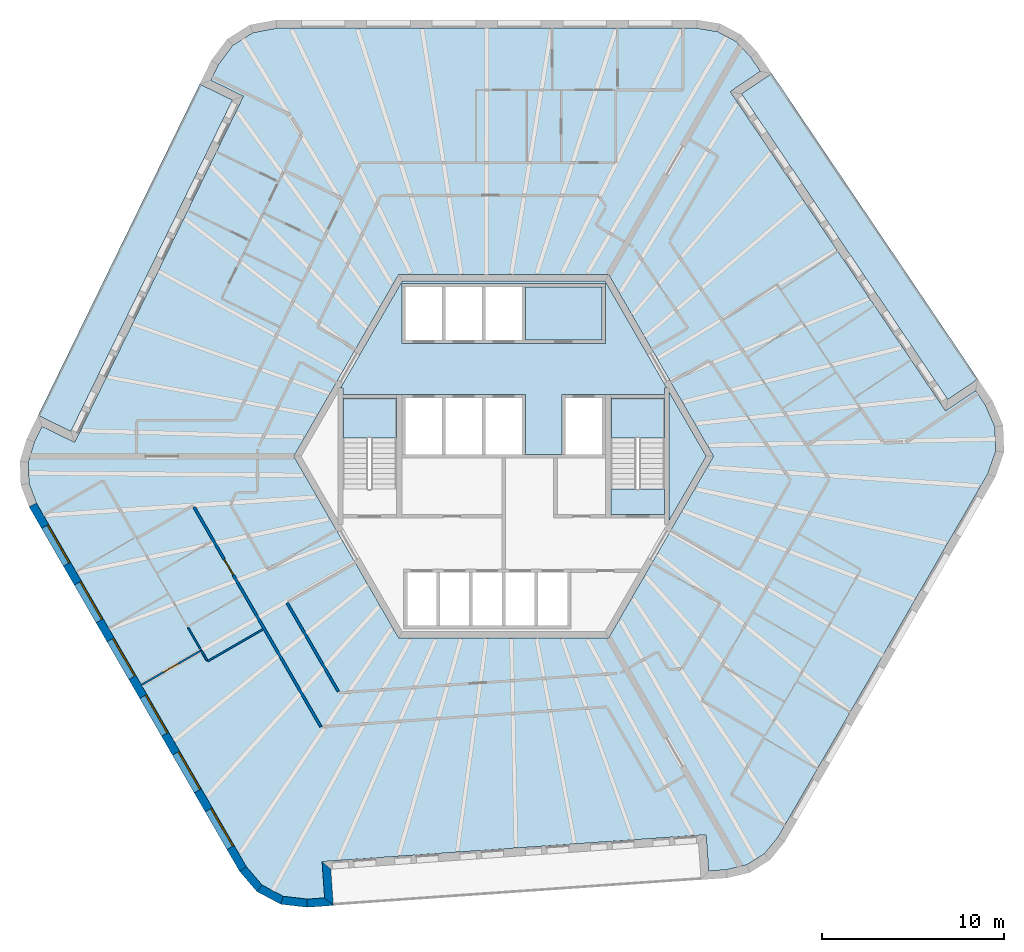
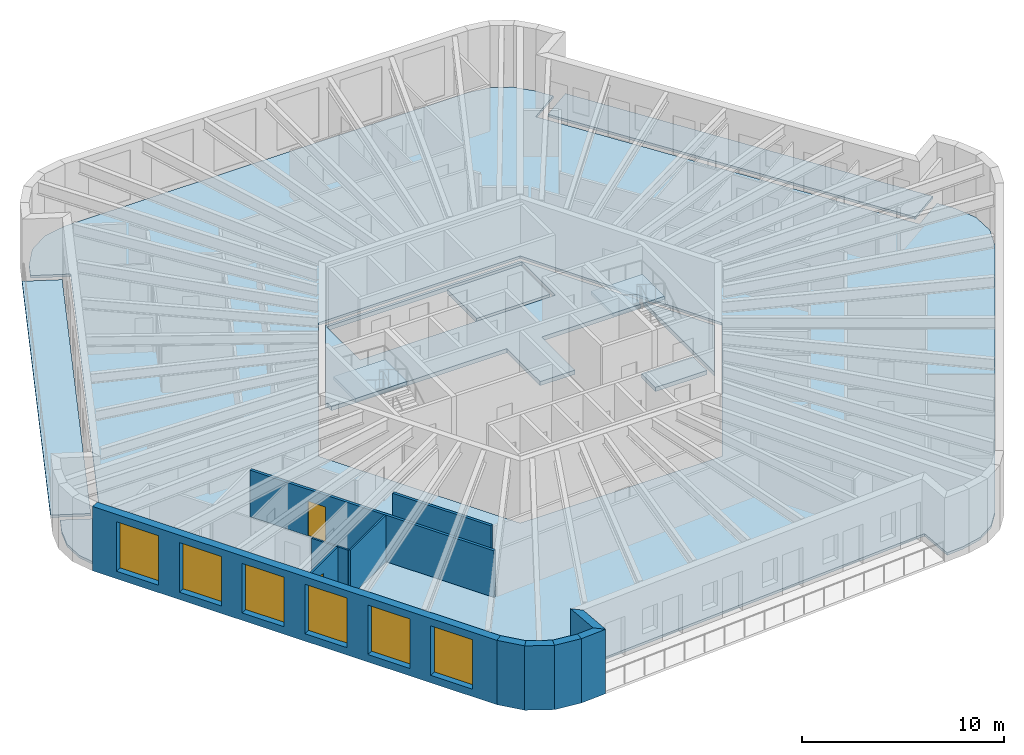
# One storey, part 2 of 11: 12 walls, 9 slabs, 6 windows, 2 doors, 8 openings, 2 elements without a shape of their own.
"""IFC4 building model written with IfcOpenShell, lengths in metres."""

from ifc_helpers import new_model, si_unit, direction, frame, frame_2d, origin, place, context, subcontext, project, spatial, polyline, rectangle, outline, extrude, material, layer, layer_set, type_object, element, fill, aggregate, save


model = new_model("IFC4")

# Units and contexts
model_context = context("Model", 3, precision=1e-05, world=origin(), true_north=direction((0.0, 1.0)))
body_context = subcontext(model_context, "Body", "Model", "MODEL_VIEW")
ifc_project = project(units=[si_unit("LENGTHUNIT", "METRE"), si_unit("AREAUNIT", "SQUARE_METRE"), si_unit("VOLUMEUNIT", "CUBIC_METRE"), si_unit("PLANEANGLEUNIT", "RADIAN"), si_unit("MASSUNIT", "GRAM", prefix="KILO")], contexts=[model_context])

# Site, building, storey
site_placement = place(None, origin())
site = spatial("IfcSite", under=ifc_project, at=site_placement, CompositionType="ELEMENT")
building_placement = place(site_placement, origin())
building = spatial("IfcBuilding", under=site, at=building_placement, Name="Tarnside Tower", CompositionType="ELEMENT")
storey_placement = place(building_placement, frame((0.0, 0.0, 353.39990234375)))
storey = spatial("IfcBuildingStorey", under=building, at=storey_placement, Name="L85", CompositionType="ELEMENT", Elevation=353.39990234375)

# Slabs
ifc_material_1 = material(Name="Concrete C35/45", Category="concrete")
ifc_layer_1 = layer(ifc_material_1, 0.14990234375)
ifc_layer_set_1 = layer_set([ifc_layer_1], Name="Composite floor slab 150")
slab_type_1 = type_object("IfcSlabType", Name="Composite floor slab 150", PredefinedType="FLOOR", material=ifc_layer_set_1)
slab_1_placement = place(storey_placement, frame((0.0, 0.0, -0.14990234375)))
element("IfcSlab", 1, at=slab_1_placement, inside=storey, type_object=slab_type_1, Name="Floor slab L85", PredefinedType="FLOOR", context=body_context, shape_type="SweptSolid", body=[
    extrude(outline(polyline([(11.769287109375, 23.3603515625), (12.785400390625, 22.8203125), (13.58740234375, 21.969970703125), (14.12255859375, 21.1767578125), (12.46435546875, 20.058349609375), (24.30908203125, 2.498046875), (25.967041015625, 3.616455078125), (26.50048828125, 2.82568359375), (27.02880859375, 1.6005859375), (27.07470703125, 0.288818359375), (26.633056640625, -0.97021484375), (15.0869140625, -20.968505859375), (14.345947265625, -21.872802734375), (13.370361328125, -22.482421875), (12.232666015625, -22.752197265625), (11.2783203125, -22.81884765625), (11.138916015625, -20.82373046875), (-9.9912109375, -22.30126953125), (-9.8515625, -24.29638671875), (-10.80322265625, -24.36279296875), (-12.12841796875, -24.2080078125), (-13.287353515625, -23.591796875), (-14.15673828125, -22.579833984375), (-25.702880859375, -2.581298828125), (-26.115478515625, -1.487548828125), (-26.155517578125, -0.337890625), (-25.8203125, 0.7822265625), (-25.40087890625, 1.64208984375), (-23.603271484375, 0.765380859375), (-14.31787109375, 19.80322265625), (-16.115478515625, 20.679931640625), (-15.697265625, 21.537353515625), (-14.900634765625, 22.607421875), (-13.787353515625, 23.302978515625), (-12.476318359375, 23.550048828125), (10.61572265625, 23.550048828125), (11.769287109375, 23.3603515625)]), holes=[polyline([(-11.547119140625, 0.0), (-5.7734375, -10.0), (5.7734375, -10.0), (11.547119140625, 0.0), (5.7734375, 10.0), (-5.7734375, 10.0), (-11.547119140625, 0.0)])]), origin(), (0.0, 0.0, 1.0), 0.14990234375),
])
ifc_material_2 = material(Name="Concrete C40/50", Category="concrete")
ifc_layer_2 = layer(ifc_material_2, 0.25)
ifc_layer_set_2 = layer_set([ifc_layer_2], Name="Core slab C40/50")
slab_type_2 = type_object("IfcSlabType", Name="Core slab C40/50", PredefinedType="FLOOR", material=ifc_layer_set_2)
slab_2_placement = place(storey_placement, frame((0.0, 0.0, -0.25)))
element("IfcSlab", 2, at=slab_2_placement, inside=storey, type_object=slab_type_2, Name="L85 core floor slab 1", PredefinedType="FLOOR", context=body_context, shape_type="SweptSolid", body=[
    extrude(outline(polyline([(5.5712890625, 9.64990234375), (8.97509765625, 3.7548828125), (8.85009765625, 3.7548828125), (8.85009765625, 3.39990234375), (5.89990234375, 3.39990234375), (5.60009765625, 3.39990234375), (3.39990234375, 3.39990234375), (3.199951171875, 3.39990234375), (3.199951171875, 0.10009765625), (1.199951171875, 0.10009765625), (1.199951171875, 3.39990234375), (1.0, 3.39990234375), (-5.60009765625, 3.39990234375), (-5.89990234375, 3.39990234375), (-8.85009765625, 3.39990234375), (-8.85009765625, 3.7548828125), (-8.97509765625, 3.7548828125), (-5.5712890625, 9.64990234375), (5.5712890625, 9.64990234375)]), holes=[polyline([(-5.60009765625, 6.199951171875), (5.60009765625, 6.199951171875), (5.60009765625, 6.39990234375), (5.60009765625, 9.300048828125), (5.60009765625, 9.5), (-5.60009765625, 9.5), (-5.60009765625, 9.300048828125), (-5.60009765625, 6.39990234375), (-5.60009765625, 6.199951171875)])]), origin(), (0.0, 0.0, 1.0), 0.25),
])
slab_3_placement = place(storey_placement, frame((0.0, 0.0, -0.25)))
element("IfcSlab", 3, at=slab_3_placement, inside=storey, type_object=slab_type_2, Name="L85 core floor slab 4", PredefinedType="FLOOR", context=body_context, shape_type="SweptSolid", body=[
    extrude(outline(polyline([(9.10009765625, 3.538330078125), (11.142822265625, 0.0), (9.10009765625, -3.538330078125), (9.10009765625, 3.538330078125)])), origin(), (0.0, 0.0, 1.0), 0.25),
])
slab_4_placement = place(storey_placement, frame((0.0, 0.0, -0.25)))
element("IfcSlab", 4, at=slab_4_placement, inside=storey, type_object=slab_type_2, Name="L85 core floor slab 6", PredefinedType="FLOOR", context=body_context, shape_type="SweptSolid", body=[
    extrude(outline(polyline([(5.89990234375, -1.800048828125), (8.85009765625, -1.800048828125), (8.85009765625, -3.199951171875), (5.89990234375, -3.199951171875), (5.89990234375, -1.800048828125)])), origin(), (0.0, 0.0, 1.0), 0.25),
])
slab_5_placement = place(storey_placement, frame((0.0, 0.0, -0.25)))
element("IfcSlab", 5, at=slab_5_placement, inside=storey, type_object=slab_type_2, Name="L85 core floor slab 7", PredefinedType="FLOOR", context=body_context, shape_type="SweptSolid", body=[
    extrude(outline(polyline([(5.39990234375, 6.39990234375), (1.199951171875, 6.39990234375), (1.199951171875, 9.300048828125), (5.39990234375, 9.300048828125), (5.39990234375, 6.39990234375)])), origin(), (0.0, 0.0, 1.0), 0.25),
])
ifc_material_3 = material(Name="Timber decking", Category="wood")
ifc_layer_3 = layer(ifc_material_3, 0.0400390625)
ifc_material_4 = material(Name="Concrete C60/75 precast", Category="concrete")
ifc_layer_4 = layer(ifc_material_4, 0.110107421875)
ifc_layer_set_3 = layer_set([ifc_layer_3, ifc_layer_4], Name="Loggia deck 150")
slab_type_3 = type_object("IfcSlabType", Name="Loggia deck 150", PredefinedType="FLOOR", material=ifc_layer_set_3)
slab_6_placement = place(storey_placement, frame((0.0, 0.0, -0.14990234375)))
element("IfcSlab", 6, at=slab_6_placement, inside=storey, type_object=slab_type_3, Name="Loggia deck L85 F2", PredefinedType="FLOOR", context=body_context, shape_type="SweptSolid", body=[
    extrude(outline(polyline([(-14.919677734375, 19.595947265625), (-23.810546875, 1.366943359375), (-25.608154296875, 2.24365234375), (-16.71728515625, 20.47265625), (-14.919677734375, 19.595947265625)])), origin(), (0.0, 0.0, 1.0), 0.14990234375),
])
slab_7_placement = place(storey_placement, frame((0.0, 0.0, -0.14990234375)))
element("IfcSlab", 7, at=slab_7_placement, inside=storey, type_object=slab_type_3, Name="Loggia deck L85 F6", PredefinedType="FLOOR", context=body_context, shape_type="SweptSolid", body=[
    extrude(outline(polyline([(24.430419921875, 3.122802734375), (13.089111328125, 19.93701171875), (14.7470703125, 21.055419921875), (26.088623046875, 4.2412109375), (24.430419921875, 3.122802734375)])), origin(), (0.0, 0.0, 1.0), 0.14990234375),
])

# Stair, slab
stair_type = type_object("IfcStairType", Name="Exit stair 1400 clear", PredefinedType="HALF_TURN_STAIR", material=ifc_material_2)
stair_1_placement = place(storey_placement, origin())
stair_1 = element("IfcStair", 8, at=stair_1_placement, inside=storey, type_object=stair_type, Name="L85 Exit stair 1", PredefinedType="HALF_TURN_STAIR")
ifc_layer_5 = layer(ifc_material_2, 0.199951171875)
ifc_layer_set_4 = layer_set([ifc_layer_5], Name="Stair landing 200 C40/50")
slab_type_4 = type_object("IfcSlabType", Name="Stair landing 200 C40/50", PredefinedType="LANDING", material=ifc_layer_set_4)
slab_8_placement = place(storey_placement, frame((0.0, 0.0, 1.75)))
slab_8 = element("IfcSlab", 9, at=slab_8_placement, type_object=slab_type_4, Name="ST1 landing 1", PredefinedType="LANDING", context=body_context, shape_type="SweptSolid", body=[
    extrude(outline(polyline([(8.85009765625, 1.0), (8.85009765625, 3.199951171875), (5.89990234375, 3.199951171875), (5.89990234375, 1.0), (8.85009765625, 1.0)])), origin(), (0.0, 0.0, 1.0), 0.2001953125),
])
aggregate(stair_1, [slab_8])

stair_2_placement = place(storey_placement, origin())
stair_2 = element("IfcStair", 10, at=stair_2_placement, inside=storey, type_object=stair_type, Name="L85 Exit stair 2", PredefinedType="HALF_TURN_STAIR")
slab_9_placement = place(storey_placement, frame((0.0, 0.0, 1.75)))
slab_9 = element("IfcSlab", 11, at=slab_9_placement, type_object=slab_type_4, Name="ST2 landing 1", PredefinedType="LANDING", context=body_context, shape_type="SweptSolid", body=[
    extrude(outline(polyline([(-5.89990234375, 1.0), (-5.89990234375, 3.199951171875), (-8.85009765625, 3.199951171875), (-8.85009765625, 1.0), (-5.89990234375, 1.0)])), origin(), (0.0, 0.0, 1.0), 0.2001953125),
])
aggregate(stair_2, [slab_9])

# Walls
ifc_material_5 = material(Name="Gypsum board partition on steel studs", Category="steel")
ifc_layer_6 = layer(ifc_material_5, 0.10009765625)
ifc_layer_set_5 = layer_set([ifc_layer_6], Name="Bathroom wall 100")
wall_type_1 = type_object("IfcWallType", Name="Bathroom wall 100", PredefinedType="PARTITIONING", material=ifc_layer_set_5)
wall_1_placement = place(storey_placement, frame((-13.238525390625, -9.52001953125, 0.0), z_axis=(0.0, 0.0, 1.0), x_axis=(-0.866031034943, -0.499990246421, 0.0)))
element("IfcWall", 12, at=wall_1_placement, inside=storey, type_object=wall_type_1, Name="Bathroom wall 27094", PredefinedType="PARTITIONING", context=body_context, shape_type="SweptSolid", body=[
    extrude(rectangle(XDim=3.52490234375, YDim=0.10009765625, at=frame_2d((1.762451171875, 0.0))), origin(), (0.0, 0.0, 1.0), 2.820068359375),
])
wall_2_placement = place(storey_placement, frame((-16.31640625, -11.2392578125, 0.0), z_axis=(0.0, 0.0, 1.0), x_axis=(-0.499962526042, 0.866047038303, 0.0)))
element("IfcWall", 13, at=wall_2_placement, inside=storey, type_object=wall_type_1, Name="Bathroom wall 27095", PredefinedType="PARTITIONING", context=body_context, shape_type="SweptSolid", body=[
    extrude(rectangle(XDim=0.6455078125, YDim=0.10009765625, at=frame_2d((0.32275390625, 0.0))), origin(), (0.0, 0.0, 1.0), 2.820068359375),
])
wall_3_placement = place(storey_placement, frame((-16.63720703125, -10.68359375, 0.0), z_axis=(0.0, 0.0, 1.0), x_axis=(-0.500046085413, 0.865998794724, 0.0)))
element("IfcWall", 14, at=wall_3_placement, inside=storey, type_object=wall_type_1, Name="Bathroom wall 27103", PredefinedType="PARTITIONING", context=body_context, shape_type="SweptSolid", body=[
    extrude(rectangle(XDim=1.458251953125, YDim=0.10009765625, at=frame_2d((0.72900390625, 0.0))), origin(), (0.0, 0.0, 1.0), 2.820068359375),
])

# Wall, opening, door
ifc_layer_7 = layer(ifc_material_5, 0.14990234375)
ifc_layer_set_6 = layer_set([ifc_layer_7], Name="Corridor wall 150 EI 60")
wall_type_2 = type_object("IfcWallType", Name="Corridor wall 150 EI 60", PredefinedType="PARTITIONING", material=ifc_layer_set_6)
wall_4_placement = place(storey_placement, frame((-17.0361328125, -2.79248046875, 0.0), z_axis=(0.0, 0.0, 1.0), x_axis=(0.500006428338, -0.86602169235, 0.0)))
wall_4 = element("IfcWall", 15, at=wall_4_placement, inside=storey, type_object=wall_type_2, Name="Corridor wall 27024", PredefinedType="PARTITIONING", context=body_context, shape_type="SweptSolid", body=[
    extrude(rectangle(XDim=13.966064453125, YDim=0.14990234375, at=frame_2d((6.98291015625, 0.0))), origin(), (0.0, 0.0, 1.0), 2.820068359375),
])
opening_1_placement = place(wall_4_placement, frame((3.324951171875, 0.0, 0.0)))
opening_1 = element("IfcOpeningElement", 16, at=opening_1_placement, cuts=wall_4, Name="Opening D-E1", PredefinedType="OPENING", context=body_context, shape_type="SweptSolid", body=[
    extrude(rectangle(XDim=1.0, YDim=2.10009765625, at=frame_2d((0.5, 1.050048828125))), frame((0.0, 0.0849609375, 0.0), z_axis=(0.0, -1.0, 0.0), x_axis=(1.0, 0.0, 0.0)), (0.0, 0.0, 1.0), 0.169921875),
])
ifc_material_6 = material(Name="Timber door leaf", Category="wood")
door_type_1 = type_object("IfcDoorType", Name="Unit entrance door 1000 FD30S", OperationType="NOTDEFINED", PredefinedType="DOOR", material=ifc_material_6)
door_1_placement = place(opening_1_placement, origin())
door_1 = element("IfcDoor", 17, at=door_1_placement, inside=storey, type_object=door_type_1, Name="Unit door 27022", OperationType="SINGLE_SWING_RIGHT", OverallHeight=2.10009765625, OverallWidth=1.0, PredefinedType="DOOR", context=body_context, shape_type="SweptSolid", body=[
    extrude(rectangle(XDim=1.0, YDim=2.10009765625, at=frame_2d((0.5, 1.050048828125))), frame((0.0, 0.02490234375, 0.0), z_axis=(0.0, -1.0, 0.0), x_axis=(1.0, 0.0, 0.0)), (0.0, 0.0, 1.0), 0.050048828125),
])
fill(opening_1, door_1)

# Walls
wall_5_placement = place(storey_placement, frame((-9.098388671875, -12.941162109375, 0.0), z_axis=(0.0, 0.0, 1.0), x_axis=(-0.500009875128, 0.866019702301, 0.0)))
element("IfcWall", 18, at=wall_5_placement, inside=storey, type_object=wall_type_2, Name="Corridor wall 27041", PredefinedType="PARTITIONING", context=body_context, shape_type="SweptSolid", body=[
    extrude(rectangle(XDim=5.63720703125, YDim=0.14990234375, at=frame_2d((2.818603515625, 0.0))), origin(), (0.0, 0.0, 1.0), 2.820068359375),
])
ifc_material_7 = material(Name="Dark zinc cladding")
ifc_layer_8 = layer(ifc_material_7, 0.10205078125)
ifc_layer_9 = layer(ifc_material_4, 0.248046875)
ifc_material_8 = material(Name="Mineral wool insulation")
ifc_layer_10 = layer(ifc_material_8, 0.10009765625)
ifc_layer_set_7 = layer_set([ifc_layer_8, ifc_layer_9, ifc_layer_10], Name="Loggia wall 450 zinc faced")
wall_type_3 = type_object("IfcWallType", Name="Loggia wall 450 zinc faced", PredefinedType="SOLIDWALL", material=ifc_layer_set_7)
wall_6_placement = place(storey_placement, frame((-10.80859375, -24.5888671875, -0.14990234375), z_axis=(0.0, 0.0, 1.0), x_axis=(0.997562933087, 0.069772448216, 0.0)))
element("IfcWall", 19, at=wall_6_placement, inside=storey, type_object=wall_type_3, Name="Tube wall L85 F4 stub 16", PredefinedType="SOLIDWALL", context=body_context, shape_type="SweptSolid", body=[
    extrude(outline(polyline([(-0.02099609375, -0.22509765625), (1.42529296875, -0.22509765625), (0.97509765625, 0.22509765625), (0.02099609375, 0.22509765625), (-0.02099609375, -0.22509765625)])), origin(), (0.0, 0.0, 1.0), 3.89990234375),
])
wall_7_placement = place(storey_placement, frame((-9.611328125, -24.505126953125, -0.14990234375), z_axis=(0.0, 0.0, 1.0), x_axis=(-0.069824268692, 0.99755930726, 0.0)))
element("IfcWall", 20, at=wall_7_placement, inside=storey, type_object=wall_type_3, Name="Tube wall L85 F4 return 17", PredefinedType="SOLIDWALL", context=body_context, shape_type="SweptSolid", body=[
    extrude(outline(polyline([(-0.224853515625, -0.22509765625), (1.77490234375, -0.22509765625), (2.22509765625, 0.22509765625), (0.224853515625, 0.22509765625), (-0.224853515625, -0.22509765625)])), origin(), (0.0, 0.0, 1.0), 3.89990234375),
])

# Wall, opening, door
ifc_layer_11 = layer(ifc_material_5, 0.10009765625)
ifc_layer_set_8 = layer_set([ifc_layer_11], Name="Partition 100")
wall_type_4 = type_object("IfcWallType", Name="Partition 100", PredefinedType="PARTITIONING", material=ifc_layer_set_8)
wall_8_placement = place(storey_placement, frame((-16.681396484375, -10.706787109375, 0.0), z_axis=(0.0, 0.0, 1.0), x_axis=(-0.866039234136, -0.499976044363, 0.0)))
wall_8 = element("IfcWall", 21, at=wall_8_placement, inside=storey, type_object=wall_type_4, Name="Partition wall 27093", PredefinedType="PARTITIONING", context=body_context, shape_type="SweptSolid", body=[
    extrude(rectangle(XDim=3.750244140625, YDim=0.10009765625, at=frame_2d((1.875, 0.0))), origin(), (0.0, 0.0, 1.0), 2.820068359375),
])
opening_2_placement = place(wall_8_placement, frame((1.425048828125, 0.0, 0.0)))
opening_2 = element("IfcOpeningElement", 22, at=opening_2_placement, cuts=wall_8, Name="Opening D-I1", PredefinedType="OPENING", context=body_context, shape_type="SweptSolid", body=[
    extrude(rectangle(XDim=0.89990234375, YDim=2.10009765625, at=frame_2d((0.449951171875, 1.050048828125))), frame((0.0, 0.06005859375, 0.0), z_axis=(0.0, -1.0, 0.0), x_axis=(1.0, 0.0, 0.0)), (0.0, 0.0, 1.0), 0.1201171875),
])
door_type_2 = type_object("IfcDoorType", Name="Internal door 900", OperationType="NOTDEFINED", PredefinedType="DOOR", material=ifc_material_6)
door_2_placement = place(opening_2_placement, origin())
door_2 = element("IfcDoor", 23, at=door_2_placement, inside=storey, type_object=door_type_2, Name="Internal door 27058", OperationType="SINGLE_SWING_RIGHT", OverallHeight=2.10009765625, OverallWidth=0.89990234375, PredefinedType="DOOR", context=body_context, shape_type="SweptSolid", body=[
    extrude(rectangle(XDim=0.89990234375, YDim=2.10009765625, at=frame_2d((0.449951171875, 1.050048828125))), frame((0.0, 0.02490234375, 0.0), z_axis=(0.0, -1.0, 0.0), x_axis=(1.0, 0.0, 0.0)), (0.0, 0.0, 1.0), 0.050048828125),
])
fill(opening_2, door_2)

# Wall, openings, windows
ifc_material_9 = material(Name="Facing brick", Category="masonry")
ifc_layer_12 = layer(ifc_material_9, 0.10205078125)
ifc_layer_13 = layer(ifc_material_4, 0.248046875)
ifc_layer_14 = layer(ifc_material_8, 0.10009765625)
ifc_layer_set_9 = layer_set([ifc_layer_12, ifc_layer_13, ifc_layer_14], Name="Tube wall 450 brick faced")
wall_type_5 = type_object("IfcWallType", Name="Tube wall 450 brick faced", PredefinedType="SOLIDWALL", material=ifc_layer_set_9)
wall_9_placement = place(storey_placement, frame((-25.90673828125, -2.677978515625, -0.14990234375), z_axis=(0.0, 0.0, 1.0), x_axis=(0.499997453958, -0.866026873738, 0.0)))
wall_9 = element("IfcWall", 24, at=wall_9_placement, inside=storey, type_object=wall_type_5, Name="Tube wall L85 F3 flush 12", PredefinedType="SOLIDWALL", context=body_context, shape_type="SweptSolid", body=[
    extrude(outline(polyline([(-0.018310546875, -0.22509765625), (23.15234375, -0.22509765625), (23.1103515625, 0.22509765625), (0.018310546875, 0.22509765625), (-0.018310546875, -0.22509765625)])), origin(), (0.0, 0.0, 1.0), 3.89990234375),
])
opening_3_placement = place(wall_9_placement, frame((1.36572265625, 0.0, 0.449951171875)))
opening_3 = element("IfcOpeningElement", 25, at=opening_3_placement, cuts=wall_9, Name="Opening WP", PredefinedType="OPENING", context=body_context, shape_type="SweptSolid", body=[
    extrude(rectangle(XDim=2.39990234375, YDim=3.0, at=frame_2d((1.199951171875, 1.5))), frame((0.0, 0.23486328125, 0.0), z_axis=(0.0, -1.0, 0.0), x_axis=(1.0, 0.0, 0.0)), (0.0, 0.0, 1.0), 0.469970703125),
])
opening_4_placement = place(wall_9_placement, frame((4.9658203125, 0.0, 0.449951171875)))
opening_4 = element("IfcOpeningElement", 26, at=opening_4_placement, cuts=wall_9, Name="Opening WP", PredefinedType="OPENING", context=body_context, shape_type="SweptSolid", body=[
    extrude(rectangle(XDim=2.39990234375, YDim=3.0, at=frame_2d((1.199951171875, 1.5))), frame((0.0, 0.23486328125, 0.0), z_axis=(0.0, -1.0, 0.0), x_axis=(1.0, 0.0, 0.0)), (0.0, 0.0, 1.0), 0.469970703125),
])
opening_5_placement = place(wall_9_placement, frame((8.56591796875, 0.0, 0.449951171875)))
opening_5 = element("IfcOpeningElement", 27, at=opening_5_placement, cuts=wall_9, Name="Opening WP", PredefinedType="OPENING", context=body_context, shape_type="SweptSolid", body=[
    extrude(rectangle(XDim=2.39990234375, YDim=3.0, at=frame_2d((1.199951171875, 1.5))), frame((0.0, 0.23486328125, 0.0), z_axis=(0.0, -1.0, 0.0), x_axis=(1.0, 0.0, 0.0)), (0.0, 0.0, 1.0), 0.469970703125),
])
opening_6_placement = place(wall_9_placement, frame((12.165771484375, 0.0, 0.449951171875)))
opening_6 = element("IfcOpeningElement", 28, at=opening_6_placement, cuts=wall_9, Name="Opening WP", PredefinedType="OPENING", context=body_context, shape_type="SweptSolid", body=[
    extrude(rectangle(XDim=2.39990234375, YDim=3.0, at=frame_2d((1.199951171875, 1.5))), frame((0.0, 0.23486328125, 0.0), z_axis=(0.0, -1.0, 0.0), x_axis=(1.0, 0.0, 0.0)), (0.0, 0.0, 1.0), 0.469970703125),
])
opening_7_placement = place(wall_9_placement, frame((15.765869140625, 0.0, 0.449951171875)))
opening_7 = element("IfcOpeningElement", 29, at=opening_7_placement, cuts=wall_9, Name="Opening WP", PredefinedType="OPENING", context=body_context, shape_type="SweptSolid", body=[
    extrude(rectangle(XDim=2.39990234375, YDim=3.0, at=frame_2d((1.199951171875, 1.5))), frame((0.0, 0.23486328125, 0.0), z_axis=(0.0, -1.0, 0.0), x_axis=(1.0, 0.0, 0.0)), (0.0, 0.0, 1.0), 0.469970703125),
])
opening_8_placement = place(wall_9_placement, frame((19.36572265625, 0.0, 0.449951171875)))
opening_8 = element("IfcOpeningElement", 30, at=opening_8_placement, cuts=wall_9, Name="Opening WP", PredefinedType="OPENING", context=body_context, shape_type="SweptSolid", body=[
    extrude(rectangle(XDim=2.39990234375, YDim=3.0, at=frame_2d((1.199951171875, 1.5))), frame((0.0, 0.23486328125, 0.0), z_axis=(0.0, -1.0, 0.0), x_axis=(1.0, 0.0, 0.0)), (0.0, 0.0, 1.0), 0.469970703125),
])
ifc_material_10 = material(Name="Aluminium-framed double glazing", Category="aluminium")
window_type = type_object("IfcWindowType", Name="Penthouse window 2400 x 3000", PartitioningType="DOUBLE_PANEL_VERTICAL", PredefinedType="WINDOW", material=ifc_material_10)
window_1_placement = place(opening_3_placement, frame((0.0, 0.1552734375, 0.0)))
window_1 = element("IfcWindow", 31, at=window_1_placement, inside=storey, type_object=window_type, Name="E.WN.L85.F3.00", OverallHeight=3.0, OverallWidth=2.39990234375, PartitioningType="DOUBLE_PANEL_VERTICAL", PredefinedType="WINDOW", context=body_context, shape_type="SweptSolid", body=[
    extrude(rectangle(XDim=2.39990234375, YDim=3.0, at=frame_2d((1.199951171875, 1.5))), frame((0.0, 0.030029296875, 0.0), z_axis=(0.0, -1.0, 0.0), x_axis=(1.0, 0.0, 0.0)), (0.0, 0.0, 1.0), 0.06005859375),
])
fill(opening_3, window_1)
window_2_placement = place(opening_4_placement, frame((0.0, 0.1552734375, 0.0)))
window_2 = element("IfcWindow", 32, at=window_2_placement, inside=storey, type_object=window_type, Name="E.WN.L85.F3.01", OverallHeight=3.0, OverallWidth=2.39990234375, PartitioningType="DOUBLE_PANEL_VERTICAL", PredefinedType="WINDOW", context=body_context, shape_type="SweptSolid", body=[
    extrude(rectangle(XDim=2.39990234375, YDim=3.0, at=frame_2d((1.199951171875, 1.5))), frame((0.0, 0.030029296875, 0.0), z_axis=(0.0, -1.0, 0.0), x_axis=(1.0, 0.0, 0.0)), (0.0, 0.0, 1.0), 0.06005859375),
])
fill(opening_4, window_2)
window_3_placement = place(opening_5_placement, frame((0.0, 0.1552734375, 0.0)))
window_3 = element("IfcWindow", 33, at=window_3_placement, inside=storey, type_object=window_type, Name="E.WN.L85.F3.02", OverallHeight=3.0, OverallWidth=2.39990234375, PartitioningType="DOUBLE_PANEL_VERTICAL", PredefinedType="WINDOW", context=body_context, shape_type="SweptSolid", body=[
    extrude(rectangle(XDim=2.39990234375, YDim=3.0, at=frame_2d((1.199951171875, 1.5))), frame((0.0, 0.030029296875, 0.0), z_axis=(0.0, -1.0, 0.0), x_axis=(1.0, 0.0, 0.0)), (0.0, 0.0, 1.0), 0.06005859375),
])
fill(opening_5, window_3)
window_4_placement = place(opening_6_placement, frame((0.0, 0.1552734375, 0.0)))
window_4 = element("IfcWindow", 34, at=window_4_placement, inside=storey, type_object=window_type, Name="E.WN.L85.F3.03", OverallHeight=3.0, OverallWidth=2.39990234375, PartitioningType="DOUBLE_PANEL_VERTICAL", PredefinedType="WINDOW", context=body_context, shape_type="SweptSolid", body=[
    extrude(rectangle(XDim=2.39990234375, YDim=3.0, at=frame_2d((1.199951171875, 1.5))), frame((0.0, 0.030029296875, 0.0), z_axis=(0.0, -1.0, 0.0), x_axis=(1.0, 0.0, 0.0)), (0.0, 0.0, 1.0), 0.06005859375),
])
fill(opening_6, window_4)
window_5_placement = place(opening_7_placement, frame((0.0, 0.1552734375, 0.0)))
window_5 = element("IfcWindow", 35, at=window_5_placement, inside=storey, type_object=window_type, Name="E.WN.L85.F3.04", OverallHeight=3.0, OverallWidth=2.39990234375, PartitioningType="DOUBLE_PANEL_VERTICAL", PredefinedType="WINDOW", context=body_context, shape_type="SweptSolid", body=[
    extrude(rectangle(XDim=2.39990234375, YDim=3.0, at=frame_2d((1.199951171875, 1.5))), frame((0.0, 0.030029296875, 0.0), z_axis=(0.0, -1.0, 0.0), x_axis=(1.0, 0.0, 0.0)), (0.0, 0.0, 1.0), 0.06005859375),
])
fill(opening_7, window_5)
window_6_placement = place(opening_8_placement, frame((0.0, 0.1552734375, 0.0)))
window_6 = element("IfcWindow", 36, at=window_6_placement, inside=storey, type_object=window_type, Name="E.WN.L85.F3.05", OverallHeight=3.0, OverallWidth=2.39990234375, PartitioningType="DOUBLE_PANEL_VERTICAL", PredefinedType="WINDOW", context=body_context, shape_type="SweptSolid", body=[
    extrude(rectangle(XDim=2.39990234375, YDim=3.0, at=frame_2d((1.199951171875, 1.5))), frame((0.0, 0.030029296875, 0.0), z_axis=(0.0, -1.0, 0.0), x_axis=(1.0, 0.0, 0.0)), (0.0, 0.0, 1.0), 0.06005859375),
])
fill(opening_8, window_6)

# Walls
wall_10_placement = place(storey_placement, frame((-14.341064453125, -22.71044921875, -0.14990234375), z_axis=(0.0, 0.0, 1.0), x_axis=(0.651625422694, -0.758540907597, 0.0)))
element("IfcWall", 37, at=wall_10_placement, inside=storey, type_object=wall_type_5, Name="Tube wall L85 F3 chord 13", PredefinedType="SOLIDWALL", context=body_context, shape_type="SweptSolid", body=[
    extrude(outline(polyline([(-0.02099609375, -0.22509765625), (1.43994140625, -0.22509765625), (1.35498046875, 0.22509765625), (0.02099609375, 0.22509765625), (-0.02099609375, -0.22509765625)])), origin(), (0.0, 0.0, 1.0), 3.89990234375),
])
wall_11_placement = place(storey_placement, frame((-13.430419921875, -23.7705078125, -0.14990234375), z_axis=(0.0, 0.0, 1.0), x_axis=(0.882966382564, -0.469436222784, 0.0)))
element("IfcWall", 38, at=wall_11_placement, inside=storey, type_object=wall_type_5, Name="Tube wall L85 F3 chord 14", PredefinedType="SOLIDWALL", context=body_context, shape_type="SweptSolid", body=[
    extrude(outline(polyline([(-0.04248046875, -0.22509765625), (1.43994140625, -0.22509765625), (1.35498046875, 0.22509765625), (0.04248046875, 0.22509765625), (-0.04248046875, -0.22509765625)])), origin(), (0.0, 0.0, 1.0), 3.89990234375),
])
wall_12_placement = place(storey_placement, frame((-12.196533203125, -24.426513671875, -0.14990234375), z_axis=(0.0, 0.0, 1.0), x_axis=(0.993227902261, -0.116182331575, 0.0)))
element("IfcWall", 39, at=wall_12_placement, inside=storey, type_object=wall_type_5, Name="Tube wall L85 F3 chord 15", PredefinedType="SOLIDWALL", context=body_context, shape_type="SweptSolid", body=[
    extrude(outline(polyline([(-0.04248046875, -0.22509765625), (1.41845703125, -0.22509765625), (1.37646484375, 0.22509765625), (0.04248046875, 0.22509765625), (-0.04248046875, -0.22509765625)])), origin(), (0.0, 0.0, 1.0), 3.89990234375),
])

save(model, "model.ifc")
